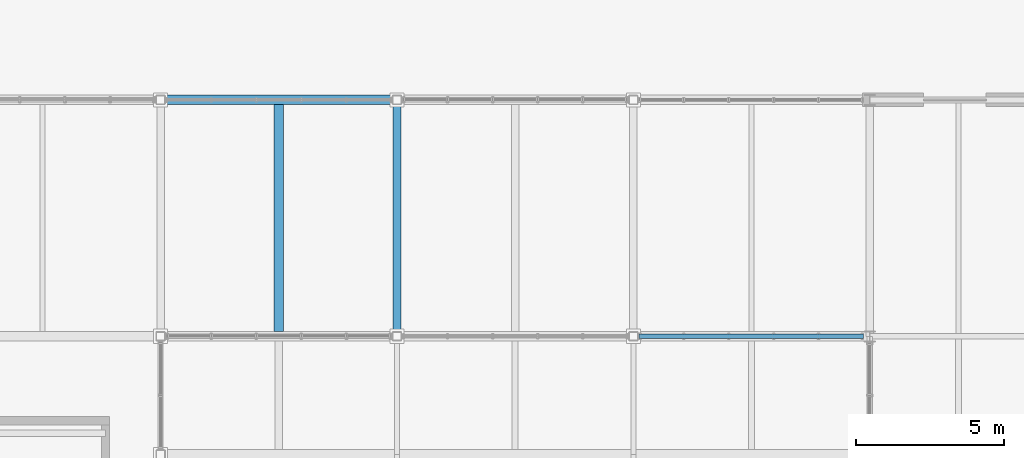
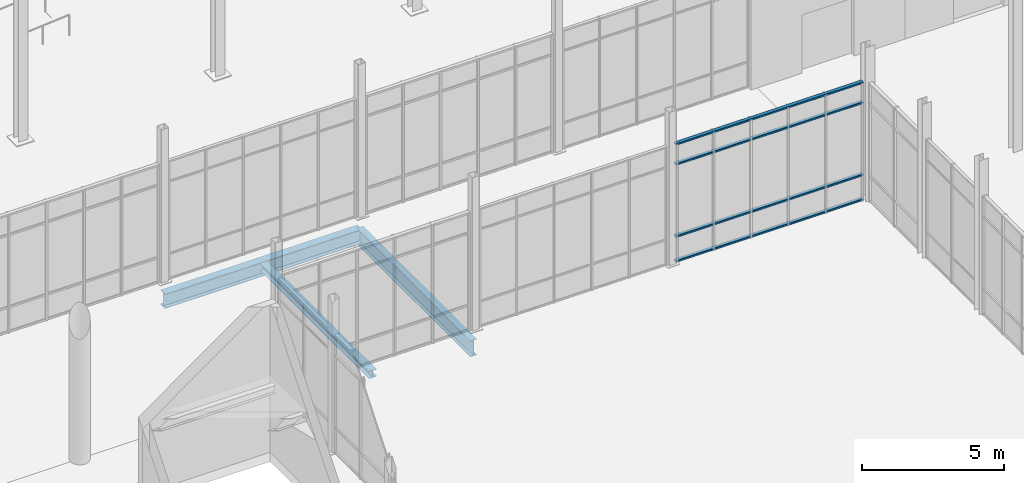
# One storey, part 51 of 140: 4 members, 3 beams, 1 element without a shape of its own.
"""IFC4 building model written with IfcOpenShell, lengths in metres."""

from ifc_helpers import new_model, si_unit, direction, frame, origin, origin_2d, place, context, subcontext, project, spatial, hollow_rectangle, i_section, extrude, material, material_profile, profile_set, type_object, element, aggregate, save


model = new_model("IFC4")

# Units and contexts
model_context = context("Model", 3, precision=1e-05, world=origin(), true_north=direction((0.0, 1.0)))
body_context = subcontext(model_context, "Body", "Model", "MODEL_VIEW")
ifc_project = project(units=[si_unit("LENGTHUNIT", "METRE"), si_unit("AREAUNIT", "SQUARE_METRE"), si_unit("VOLUMEUNIT", "CUBIC_METRE"), si_unit("PLANEANGLEUNIT", "RADIAN"), si_unit("MASSUNIT", "GRAM", prefix="KILO")], contexts=[model_context])

# Site, building, storey
site_placement = place(None, origin())
site = spatial("IfcSite", under=ifc_project, at=site_placement, CompositionType="ELEMENT")
building_placement = place(site_placement, origin())
building = spatial("IfcBuilding", under=site, at=building_placement, Name="Verrall Gate Interchange", CompositionType="ELEMENT")
storey_placement = place(building_placement, origin())
storey = spatial("IfcBuildingStorey", under=building, at=storey_placement, Name="L01", CompositionType="ELEMENT", Elevation=0.0)

# Beams
ifc_material_1 = material(Name="Structural Steel CSA G40.21 350WT Cat 4", Category="steel")
ifc_material_profile_1 = material_profile(ifc_material_1, i_section(OverallWidth=0.256103515625, OverallDepth=0.693115234375, WebThickness=0.01318359375, FlangeThickness=0.02001953125, FilletRadius=0.01611328125, at=origin_2d()), Name="W690x170")
ifc_profile_set_1 = profile_set([ifc_material_profile_1], Name="Structural Steel CSA G40.21 350WT Cat 4")
beam_type_1 = type_object("IfcBeamType", Name="B-07 Structural Beam W690x170", PredefinedType="BEAM", material=ifc_profile_set_1)
beam_1_placement = place(storey_placement, frame((116.0, 48.0, -0.846435546875), z_axis=(0.0, 1.0, 0.0), x_axis=(-1.0, 0.0, 0.0)))
element("IfcBeam", 1, at=beam_1_placement, inside=storey, type_object=beam_type_1, Name="L01 Girder BM-L01-1186 (B-07)", PredefinedType="BEAM", context=body_context, shape_type="SweptSolid", body=[
    extrude(i_section(OverallWidth=0.256103515625, OverallDepth=0.693115234375, WebThickness=0.01318359375, FlangeThickness=0.02001953125, FilletRadius=0.01611328125, at=origin_2d()), origin(), (0.0, 0.0, 1.0), 8.0),
])
ifc_material_2 = material(Name="Structural Steel CSA G40.21 350WT Cat 4", Category="steel")
ifc_material_profile_2 = material_profile(ifc_material_2, i_section(OverallWidth=0.323974609375, OverallDepth=0.611083984375, WebThickness=0.0126953125, FlangeThickness=0.01904296875, FilletRadius=0.014892578125, at=origin_2d()), Name="W610x155")
ifc_profile_set_2 = profile_set([ifc_material_profile_2], Name="Structural Steel CSA G40.21 350WT Cat 4")
beam_type_2 = type_object("IfcBeamType", Name="B-08 Structural Beam W610x155", PredefinedType="BEAM", material=ifc_profile_set_2)
beam_2_placement = place(storey_placement, frame((108.0, 56.0, -0.805419921875), z_axis=(1.0, 0.0, 0.0), x_axis=(0.0, 1.0, 0.0)))
element("IfcBeam", 2, at=beam_2_placement, inside=storey, type_object=beam_type_2, Name="L01 Girder BM-L01-0948 (B-08)", PredefinedType="BEAM", context=body_context, shape_type="SweptSolid", body=[
    extrude(i_section(OverallWidth=0.323974609375, OverallDepth=0.611083984375, WebThickness=0.0126953125, FlangeThickness=0.01904296875, FilletRadius=0.014892578125, at=origin_2d()), origin(), (0.0, 0.0, 1.0), 8.0),
])

# Curtain wall, members
ifc_material_3 = material(Name="Thermally Broken Anodized Aluminium Curtain Wall Framing", Category="aluminium")
curtain_wall_type = type_object("IfcCurtainWallType", Name="CW-06 Unitized Curtain Wall 7631x5100", PredefinedType="NOTDEFINED", material=ifc_material_3)
curtain_wall_placement = place(storey_placement, origin())
curtain_wall = element("IfcCurtainWall", 3, at=curtain_wall_placement, inside=storey, type_object=curtain_wall_type, Name="L01 Unitized Curtain Wall CW-L01-011", PredefinedType="NOTDEFINED")
ifc_material_4 = material(Name="Thermally Broken Anodized Aluminium Curtain Wall Framing", Category="aluminium")
ifc_material_profile_3 = material_profile(ifc_material_4, hollow_rectangle(XDim=0.14990234375, YDim=0.074951171875, WallThickness=0.00439453125, InnerFilletRadius=0.00439453125, OuterFilletRadius=0.009033203125, at=origin_2d()), Name="CWT150x75x4.5")
ifc_profile_set_3 = profile_set([ifc_material_profile_3], Name="Thermally Broken Anodized Aluminium Curtain Wall Framing")
member_type = type_object("IfcMemberType", Name="CT-02 Curtain Transom CWT150x75x4.5", PredefinedType="USERDEFINED", material=ifc_profile_set_3)
member_1_placement = place(storey_placement, frame((124.1845703125, 48.0, 0.03759765625), z_axis=(1.0, 0.0, 0.0), x_axis=(0.0, 1.0, 0.0)))
member_1 = element("IfcMember", 4, at=member_1_placement, type_object=member_type, Name="CW-L01-011 Transom 1", ObjectType="TRANSOM", PredefinedType="USERDEFINED", context=body_context, shape_type="SweptSolid", body=[
    extrude(hollow_rectangle(XDim=0.14990234375, YDim=0.074951171875, WallThickness=0.00439453125, InnerFilletRadius=0.00439453125, OuterFilletRadius=0.009033203125, at=origin_2d()), origin(), (0.0, 0.0, 1.0), 7.598876953125),
])
member_2_placement = place(storey_placement, frame((124.1845703125, 48.0, 1.10009765625), z_axis=(1.0, 0.0, 0.0), x_axis=(0.0, 1.0, 0.0)))
member_2 = element("IfcMember", 5, at=member_2_placement, type_object=member_type, Name="CW-L01-011 Transom 2", ObjectType="TRANSOM", PredefinedType="USERDEFINED", context=body_context, shape_type="SweptSolid", body=[
    extrude(hollow_rectangle(XDim=0.14990234375, YDim=0.074951171875, WallThickness=0.00439453125, InnerFilletRadius=0.00439453125, OuterFilletRadius=0.009033203125, at=origin_2d()), origin(), (0.0, 0.0, 1.0), 7.598876953125),
])
member_3_placement = place(storey_placement, frame((124.1845703125, 48.0, 4.199951171875), z_axis=(1.0, 0.0, 0.0), x_axis=(0.0, 1.0, 0.0)))
member_3 = element("IfcMember", 6, at=member_3_placement, type_object=member_type, Name="CW-L01-011 Transom 3", ObjectType="TRANSOM", PredefinedType="USERDEFINED", context=body_context, shape_type="SweptSolid", body=[
    extrude(hollow_rectangle(XDim=0.14990234375, YDim=0.074951171875, WallThickness=0.00439453125, InnerFilletRadius=0.00439453125, OuterFilletRadius=0.009033203125, at=origin_2d()), origin(), (0.0, 0.0, 1.0), 7.598876953125),
])
member_4_placement = place(storey_placement, frame((124.1845703125, 48.0, 5.0625), z_axis=(1.0, 0.0, 0.0), x_axis=(0.0, 1.0, 0.0)))
member_4 = element("IfcMember", 7, at=member_4_placement, type_object=member_type, Name="CW-L01-011 Transom 4", ObjectType="TRANSOM", PredefinedType="USERDEFINED", context=body_context, shape_type="SweptSolid", body=[
    extrude(hollow_rectangle(XDim=0.14990234375, YDim=0.074951171875, WallThickness=0.00439453125, InnerFilletRadius=0.00439453125, OuterFilletRadius=0.009033203125, at=origin_2d()), origin(), (0.0, 0.0, 1.0), 7.598876953125),
])
aggregate(curtain_wall, [member_1, member_2, member_3, member_4])

# Beam
ifc_material_5 = material(Name="Structural Steel CSA G40.21 350W", Category="steel")
ifc_material_profile_4 = material_profile(ifc_material_5, i_section(OverallWidth=0.306884765625, OverallDepth=0.31396484375, WebThickness=0.011962890625, FlangeThickness=0.018798828125, FilletRadius=0.013916015625, at=origin_2d()), Name="W310x118")
ifc_profile_set_4 = profile_set([ifc_material_profile_4], Name="Structural Steel CSA G40.21 350W")
beam_type_3 = type_object("IfcBeamType", Name="J-02 Floor Joist W310x118", PredefinedType="JOIST", material=ifc_profile_set_4)
beam_3_placement = place(storey_placement, frame((112.0, 48.162109375, -0.656982421875), z_axis=(0.0, 1.0, 0.0), x_axis=(-1.0, 0.0, 0.0)))
element("IfcBeam", 8, at=beam_3_placement, inside=storey, type_object=beam_type_3, Name="L01 Secondary Floor Joist JST-L01-1412", PredefinedType="JOIST", context=body_context, shape_type="SweptSolid", body=[
    extrude(i_section(OverallWidth=0.306884765625, OverallDepth=0.31396484375, WebThickness=0.011962890625, FlangeThickness=0.018798828125, FilletRadius=0.013916015625, at=origin_2d()), origin(), (0.0, 0.0, 1.0), 7.67578125),
])

save(model, "model.ifc")
